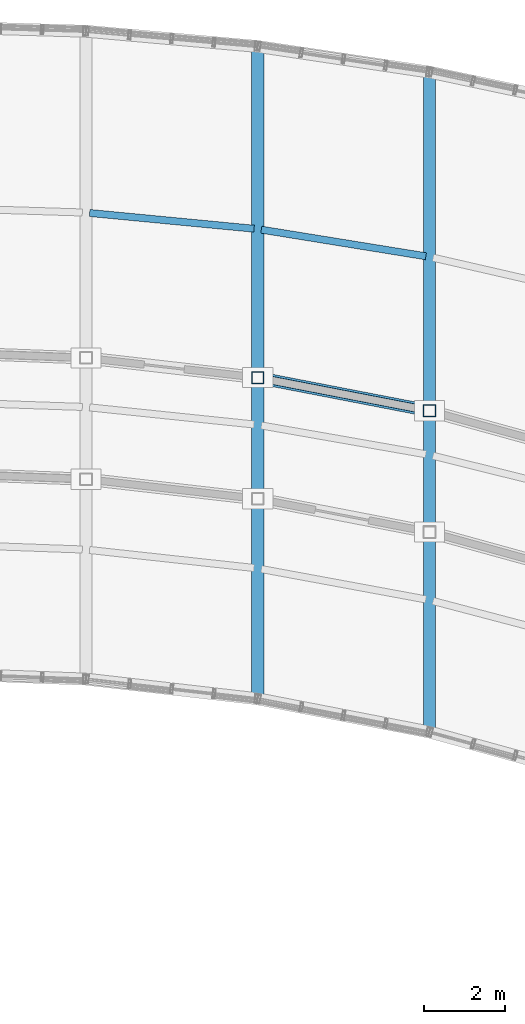
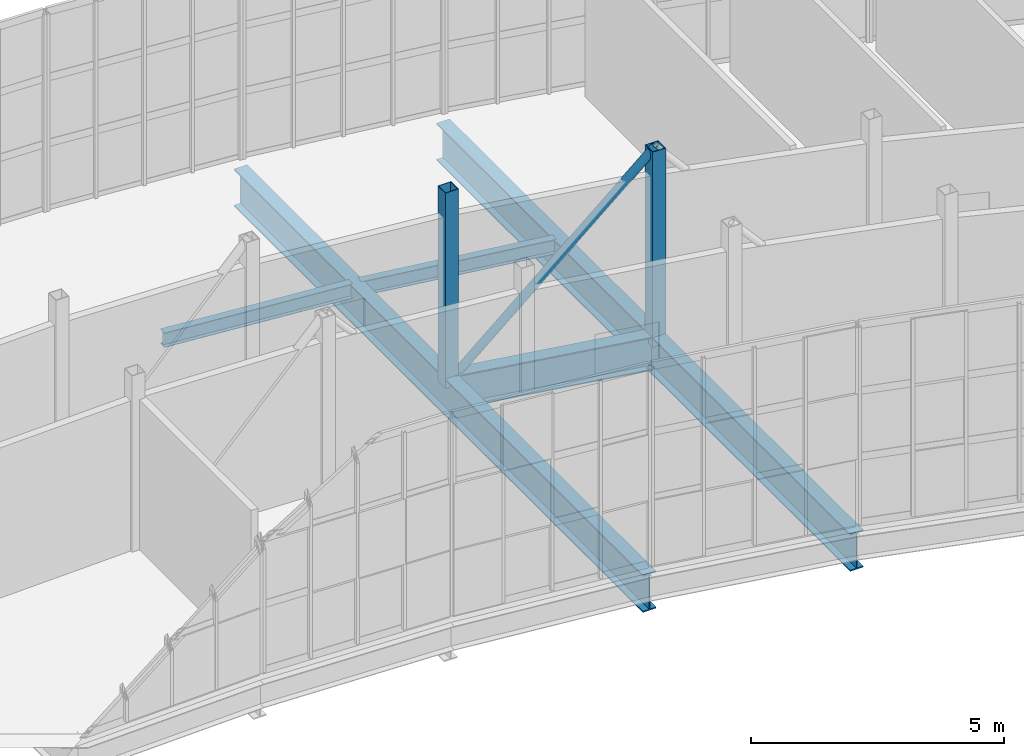
# One storey, part 29 of 46: 5 beams, 3 members.
"""IFC4 building model written with IfcOpenShell, lengths in metres."""

from ifc_helpers import new_model, si_unit, direction, frame, origin, origin_2d, place, context, subcontext, project, spatial, hollow_rectangle, hollow_circle, i_section, extrude, material, material_profile, profile_set, type_object, element, save


model = new_model("IFC4")

# Units and contexts
model_context = context("Model", 3, precision=1e-05, world=origin(), true_north=direction((0.0, 1.0)))
body_context = subcontext(model_context, "Body", "Model", "MODEL_VIEW")
ifc_project = project(units=[si_unit("LENGTHUNIT", "METRE"), si_unit("AREAUNIT", "SQUARE_METRE"), si_unit("VOLUMEUNIT", "CUBIC_METRE"), si_unit("PLANEANGLEUNIT", "RADIAN"), si_unit("MASSUNIT", "GRAM", prefix="KILO")], contexts=[model_context])

# Site, building, storey
site_placement = place(None, origin())
site = spatial("IfcSite", under=ifc_project, at=site_placement, CompositionType="ELEMENT")
building_placement = place(site_placement, origin())
building = spatial("IfcBuilding", under=site, at=building_placement, Name="Solvikara Media Centre", CompositionType="ELEMENT")
storey_placement = place(building_placement, frame((0.0, 0.0, 24.60009765625)))
storey = spatial("IfcBuildingStorey", under=building, at=storey_placement, Name="L05", CompositionType="ELEMENT", Elevation=24.60009765625)

# Beams
ifc_material = material(Name="Steel S355JR", Category="steel")
ifc_material_profile_1 = material_profile(ifc_material, i_section(OverallWidth=0.300048828125, OverallDepth=0.89990234375, WebThickness=0.01611328125, FlangeThickness=0.028076171875, at=origin_2d()), Name="WF 900x300x16x28")
ifc_profile_set_1 = profile_set([ifc_material_profile_1], Name="Steel S355JR")
beam_type_1 = type_object("IfcBeamType", Name="BM-15", PredefinedType="BEAM", material=ifc_profile_set_1)
beam_1_placement = place(storey_placement, frame((110.5, 24.818115234375, -0.672119140625), z_axis=(0.0, 1.0, 0.0), x_axis=(-1.0, 0.0, 0.0)))
element("IfcBeam", 1, at=beam_1_placement, inside=storey, type_object=beam_type_1, Name="BG-L05-NS-08", PredefinedType="BEAM", context=body_context, shape_type="SweptSolid", body=[
    extrude(i_section(OverallWidth=0.300048828125, OverallDepth=0.89990234375, WebThickness=0.01611328125, FlangeThickness=0.028076171875, at=origin_2d()), origin(), (0.0, 0.0, 1.0), 16.14599609375),
])
beam_2_placement = place(storey_placement, frame((114.75, 23.99609375, -0.672119140625), z_axis=(0.0, 1.0, 0.0), x_axis=(-1.0, 0.0, 0.0)))
element("IfcBeam", 2, at=beam_2_placement, inside=storey, type_object=beam_type_1, Name="BG-L05-NS-09", PredefinedType="BEAM", context=body_context, shape_type="SweptSolid", body=[
    extrude(i_section(OverallWidth=0.300048828125, OverallDepth=0.89990234375, WebThickness=0.01611328125, FlangeThickness=0.028076171875, at=origin_2d()), origin(), (0.0, 0.0, 1.0), 16.3330078125),
])
ifc_material_profile_2 = material_profile(ifc_material, i_section(OverallWidth=0.300048828125, OverallDepth=0.800048828125, WebThickness=0.013916015625, FlangeThickness=0.02587890625, at=origin_2d()), Name="WF 800x300x14x26")
ifc_profile_set_2 = profile_set([ifc_material_profile_2], Name="Steel S355JR")
beam_type_2 = type_object("IfcBeamType", Name="BM-16", PredefinedType="BEAM", material=ifc_profile_set_2)
beam_3_placement = place(storey_placement, frame((110.587890625, 32.7509765625, -0.6220703125), z_axis=(0.981801087979, -0.189912147171, 0.0), x_axis=(0.189912147171, 0.981801087979, 0.0)))
element("IfcBeam", 3, at=beam_3_placement, inside=storey, type_object=beam_type_2, Name="B-L05-SPNN-08", PredefinedType="BEAM", context=body_context, shape_type="SweptSolid", body=[
    extrude(i_section(OverallWidth=0.300048828125, OverallDepth=0.800048828125, WebThickness=0.013916015625, FlangeThickness=0.02587890625, at=origin_2d()), origin(), (0.0, 0.0, 1.0), 4.149658203125),
])
ifc_material_profile_3 = material_profile(ifc_material, i_section(OverallWidth=0.175048828125, OverallDepth=0.35009765625, WebThickness=0.007080078125, FlangeThickness=0.010986328125, at=origin_2d()), Name="WF 350x175x7x11")
ifc_profile_set_3 = profile_set([ifc_material_profile_3], Name="Steel S355JR")
beam_type_3 = type_object("IfcBeamType", Name="BM-22", PredefinedType="JOIST", material=ifc_profile_set_3)
beam_4_placement = place(storey_placement, frame((106.340087890625, 36.842041015625, -0.397216796875), z_axis=(0.995436776487, -0.095423393451, 0.0), x_axis=(0.095423393451, 0.995436776487, 0.0)))
element("IfcBeam", 4, at=beam_4_placement, inside=storey, type_object=beam_type_3, Name="BJ-L05-07-72", PredefinedType="JOIST", context=body_context, shape_type="SweptSolid", body=[
    extrude(i_section(OverallWidth=0.175048828125, OverallDepth=0.35009765625, WebThickness=0.007080078125, FlangeThickness=0.010986328125, at=origin_2d()), origin(), (0.0, 0.0, 1.0), 4.08837890625),
])
beam_5_placement = place(storey_placement, frame((110.589111328125, 36.428955078125, -0.397216796875), z_axis=(0.987157242896, -0.159751612818, 0.0), x_axis=(0.159751612818, 0.987157242896, 0.0)))
element("IfcBeam", 5, at=beam_5_placement, inside=storey, type_object=beam_type_3, Name="BJ-L05-08-72", PredefinedType="JOIST", context=body_context, shape_type="SweptSolid", body=[
    extrude(i_section(OverallWidth=0.175048828125, OverallDepth=0.35009765625, WebThickness=0.007080078125, FlangeThickness=0.010986328125, at=origin_2d()), origin(), (0.0, 0.0, 1.0), 4.124755859375),
])

# Members
ifc_material_profile_4 = material_profile(ifc_material, hollow_circle(Radius=0.096923828125, WallThickness=0.008056640625, at=origin_2d()), Name="CHS 193.7x8")
ifc_profile_set_4 = profile_set([ifc_material_profile_4], Name="Steel S355JR")
member_type_1 = type_object("IfcMemberType", Name="MB-06", PredefinedType="BRACE", material=ifc_profile_set_4)
member_placement = place(storey_placement, frame((110.5, 32.76806640625, -0.4501953125), z_axis=(0.665118374844, -0.128645080888, 0.735573239459), x_axis=(0.189897396029, 0.981803941213, 0.0)))
element("IfcMember", 6, at=member_placement, inside=storey, type_object=member_type_1, Name="WTR-L05-N-DA08", PredefinedType="BRACE", context=body_context, shape_type="SweptSolid", body=[
    extrude(hollow_circle(Radius=0.096923828125, WallThickness=0.008056640625, at=origin_2d()), origin(), (0.0, 0.0, 1.0), 6.389892578125),
])
ifc_material_profile_5 = material_profile(ifc_material, hollow_rectangle(XDim=0.300048828125, YDim=0.300048828125, WallThickness=0.012451171875, at=origin_2d()), Name="RHS 300x300x12.5")
ifc_profile_set_5 = profile_set([ifc_material_profile_5], Name="Steel S355JR")
member_type_2 = type_object("IfcMemberType", Name="MB-11", PredefinedType="CHORD", material=ifc_profile_set_5)
for number, where, z_axis, x_axis, name in (
    (7, (110.5, 32.76806640625, -0.4501953125), (0.0, 0.0, 1.0), (1.0, 0.0, 0.0), "WTR-L05-N-V08"),
    (8, (114.75, 31.946044921875, -0.4501953125), (0.0, 0.0, 1.0), (1.0, 0.0, 0.0), "WTR-L05-N-V09"),
):
    element("IfcMember", number, at=place(storey_placement, frame(where, z_axis=z_axis, x_axis=x_axis)), inside=storey, type_object=member_type_2, Name=name, PredefinedType="CHORD", context=body_context, shape_type="SweptSolid", body=[
        extrude(hollow_rectangle(XDim=0.300048828125, YDim=0.300048828125, WallThickness=0.012451171875, at=origin_2d()), origin(), (0.0, 0.0, 1.0), 4.7001953125),
    ])

save(model, "model.ifc")
